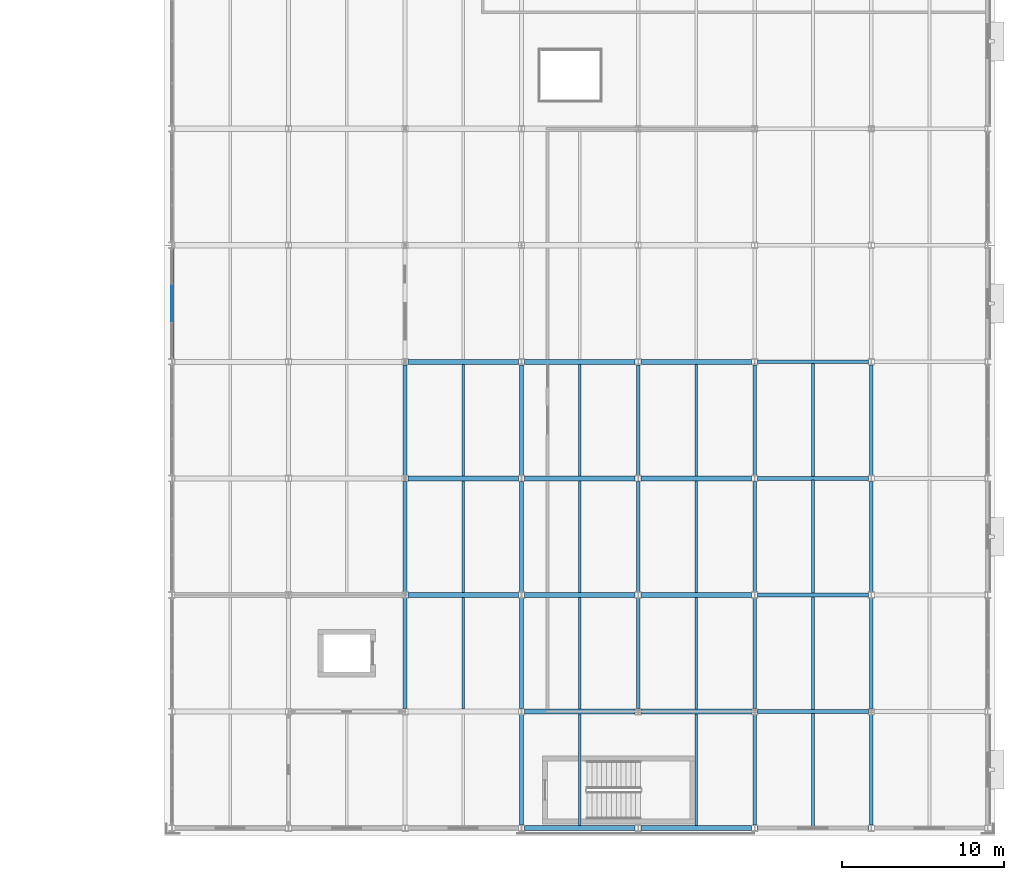
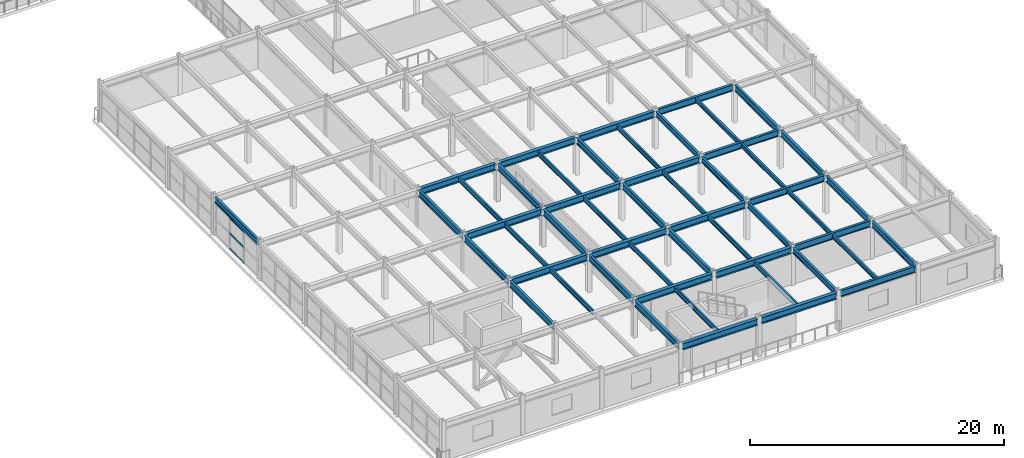
# One storey, part 33 of 93: 52 beams, 3 members, 1 element without a shape of its own.
"""IFC4 building model written with IfcOpenShell, lengths in metres."""

from ifc_helpers import new_model, si_unit, direction, frame, origin, origin_2d, place, context, subcontext, project, spatial, rectangle, i_section, extrude, material, material_profile, profile_set, type_object, element, aggregate, save


model = new_model("IFC4")

# Units and contexts
model_context = context("Model", 3, precision=1e-05, world=origin(), true_north=direction((0.0, 1.0)))
body_context = subcontext(model_context, "Body", "Model", "MODEL_VIEW")
ifc_project = project(units=[si_unit("LENGTHUNIT", "METRE"), si_unit("AREAUNIT", "SQUARE_METRE"), si_unit("VOLUMEUNIT", "CUBIC_METRE"), si_unit("PLANEANGLEUNIT", "RADIAN"), si_unit("MASSUNIT", "GRAM", prefix="KILO")], contexts=[model_context])

# Site, building, storey
site_placement = place(None, origin())
site = spatial("IfcSite", under=ifc_project, at=site_placement, CompositionType="ELEMENT")
building_placement = place(site_placement, origin())
building = spatial("IfcBuilding", under=site, at=building_placement, Name="Vaelcorin Mobility Hub", CompositionType="ELEMENT")
storey_placement = place(building_placement, frame((0.0, 0.0, 5.39990234375)))
storey = spatial("IfcBuildingStorey", under=building, at=storey_placement, Name="L01", CompositionType="ELEMENT", Elevation=5.39990234375)

# Beams
ifc_material_1 = material(Name="Steel ASTM A992 Grade 50", Category="steel")
ifc_material_profile_1 = material_profile(ifc_material_1, i_section(OverallWidth=0.177978515625, OverallDepth=0.404052734375, WebThickness=0.007568359375, FlangeThickness=0.010986328125, FilletRadius=0.012939453125, at=origin_2d()), Name="W16X36")
ifc_profile_set_1 = profile_set([ifc_material_profile_1], Name="Steel ASTM A992 Grade 50")
beam_type_1 = type_object("IfcBeamType", Name="BM-W16X36", PredefinedType="JOIST", material=ifc_profile_set_1)
beam_1_placement = place(storey_placement, frame((193.199951171875, 6.112060546875, 3.498046875), z_axis=(0.0, 1.0, 0.0), x_axis=(-1.0, 0.0, 0.0)))
element("IfcBeam", 1, at=beam_1_placement, inside=storey, type_object=beam_type_1, Name="L01 Beam V5E-L01-J-01-01-1", PredefinedType="JOIST", context=body_context, shape_type="SweptSolid", body=[
    extrude(i_section(OverallWidth=0.177978515625, OverallDepth=0.404052734375, WebThickness=0.007568359375, FlangeThickness=0.010986328125, FilletRadius=0.012939453125, at=origin_2d()), origin(), (0.0, 0.0, 1.0), 6.974853515625),
])
beam_2_placement = place(storey_placement, frame((193.199951171875, 13.31201171875, 3.498046875), z_axis=(0.0, 1.0, 0.0), x_axis=(-1.0, 0.0, 0.0)))
element("IfcBeam", 2, at=beam_2_placement, inside=storey, type_object=beam_type_1, Name="L01 Beam V5E-L01-J-01-02-1", PredefinedType="JOIST", context=body_context, shape_type="SweptSolid", body=[
    extrude(i_section(OverallWidth=0.177978515625, OverallDepth=0.404052734375, WebThickness=0.007568359375, FlangeThickness=0.010986328125, FilletRadius=0.012939453125, at=origin_2d()), origin(), (0.0, 0.0, 1.0), 6.97509765625),
])
beam_3_placement = place(storey_placement, frame((193.199951171875, 20.511962890625, 3.498046875), z_axis=(0.0, 1.0, 0.0), x_axis=(-1.0, 0.0, 0.0)))
element("IfcBeam", 3, at=beam_3_placement, inside=storey, type_object=beam_type_1, Name="L01 Beam V5E-L01-J-01-03-1", PredefinedType="JOIST", context=body_context, shape_type="SweptSolid", body=[
    extrude(i_section(OverallWidth=0.177978515625, OverallDepth=0.404052734375, WebThickness=0.007568359375, FlangeThickness=0.010986328125, FilletRadius=0.012939453125, at=origin_2d()), origin(), (0.0, 0.0, 1.0), 6.97607421875),
])
beam_4_placement = place(storey_placement, frame((193.199951171875, 27.712890625, 3.498046875), z_axis=(0.0, 1.0, 0.0), x_axis=(-1.0, 0.0, 0.0)))
element("IfcBeam", 4, at=beam_4_placement, inside=storey, type_object=beam_type_1, Name="L01 Beam V5E-L01-J-01-04-1", PredefinedType="JOIST", context=body_context, shape_type="SweptSolid", body=[
    extrude(i_section(OverallWidth=0.177978515625, OverallDepth=0.404052734375, WebThickness=0.007568359375, FlangeThickness=0.010986328125, FilletRadius=0.012939453125, at=origin_2d()), origin(), (0.0, 0.0, 1.0), 6.97509765625),
])
ifc_material_profile_2 = material_profile(ifc_material_1, i_section(OverallWidth=0.152099609375, OverallDepth=0.455078125, WebThickness=0.008056640625, FlangeThickness=0.01318359375, FilletRadius=0.012939453125, at=origin_2d()), Name="W18X40")
ifc_profile_set_2 = profile_set([ifc_material_profile_2], Name="Steel ASTM A992 Grade 50")
beam_type_2 = type_object("IfcBeamType", Name="BM-W18X40", PredefinedType="JOIST", material=ifc_profile_set_2)
for number, where, z_axis, x_axis, name in (
    (5, (171.60009765625, 13.360107421875, 3.443115234375), (0.0, 1.0, 0.0), (-1.0, 0.0, 0.0), "L01 Beam V5-L01-J-03-02-1"),
    (6, (171.60009765625, 20.56005859375, 3.443115234375), (0.0, 1.0, 0.0), (-1.0, 0.0, 0.0), "L01 Beam V5-L01-J-03-03-1"),
    (7, (171.60009765625, 27.760009765625, 3.443115234375), (0.0, 1.0, 0.0), (-1.0, 0.0, 0.0), "L01 Beam V5-L01-J-03-04-1"),
):
    element("IfcBeam", number, at=place(storey_placement, frame(where, z_axis=z_axis, x_axis=x_axis)), inside=storey, type_object=beam_type_2, Name=name, PredefinedType="JOIST", context=body_context, shape_type="SweptSolid", body=[
        extrude(i_section(OverallWidth=0.152099609375, OverallDepth=0.455078125, WebThickness=0.008056640625, FlangeThickness=0.01318359375, FilletRadius=0.012939453125, at=origin_2d()), origin(), (0.0, 0.0, 1.0), 6.8798828125),
    ])
beam_5_placement = place(storey_placement, frame((178.800048828125, 6.159912109375, 3.443115234375), z_axis=(0.0, 1.0, 0.0), x_axis=(-1.0, 0.0, 0.0)))
element("IfcBeam", 8, at=beam_5_placement, inside=storey, type_object=beam_type_2, Name="L01 Beam V5-L01-J-04-01-1", PredefinedType="JOIST", context=body_context, shape_type="SweptSolid", body=[
    extrude(i_section(OverallWidth=0.152099609375, OverallDepth=0.455078125, WebThickness=0.008056640625, FlangeThickness=0.01318359375, FilletRadius=0.012939453125, at=origin_2d()), origin(), (0.0, 0.0, 1.0), 6.879150390625),
])
for number, where, z_axis, x_axis, name in (
    (9, (178.800048828125, 13.360107421875, 3.443115234375), (0.0, 1.0, 0.0), (-1.0, 0.0, 0.0), "L01 Beam V5-L01-J-04-02-1"),
    (10, (178.800048828125, 20.56005859375, 3.443115234375), (0.0, 1.0, 0.0), (-1.0, 0.0, 0.0), "L01 Beam V5-L01-J-04-03-1"),
    (11, (178.800048828125, 27.760009765625, 3.443115234375), (0.0, 1.0, 0.0), (-1.0, 0.0, 0.0), "L01 Beam V5-L01-J-04-04-1"),
):
    element("IfcBeam", number, at=place(storey_placement, frame(where, z_axis=z_axis, x_axis=x_axis)), inside=storey, type_object=beam_type_2, Name=name, PredefinedType="JOIST", context=body_context, shape_type="SweptSolid", body=[
        extrude(i_section(OverallWidth=0.152099609375, OverallDepth=0.455078125, WebThickness=0.008056640625, FlangeThickness=0.01318359375, FilletRadius=0.012939453125, at=origin_2d()), origin(), (0.0, 0.0, 1.0), 6.8798828125),
    ])
beam_6_placement = place(storey_placement, frame((186.0, 6.159912109375, 3.443115234375), z_axis=(0.0, 1.0, 0.0), x_axis=(-1.0, 0.0, 0.0)))
element("IfcBeam", 12, at=beam_6_placement, inside=storey, type_object=beam_type_2, Name="L01 Beam V5-L01-J-05-01-1", PredefinedType="JOIST", context=body_context, shape_type="SweptSolid", body=[
    extrude(i_section(OverallWidth=0.152099609375, OverallDepth=0.455078125, WebThickness=0.008056640625, FlangeThickness=0.01318359375, FilletRadius=0.012939453125, at=origin_2d()), origin(), (0.0, 0.0, 1.0), 6.879150390625),
])
for number, where, z_axis, x_axis, name in (
    (13, (186.0, 13.360107421875, 3.443115234375), (0.0, 1.0, 0.0), (-1.0, 0.0, 0.0), "L01 Beam V5-L01-J-05-02-1"),
    (14, (186.0, 20.56005859375, 3.443115234375), (0.0, 1.0, 0.0), (-1.0, 0.0, 0.0), "L01 Beam V5-L01-J-05-03-1"),
    (15, (186.0, 27.760009765625, 3.443115234375), (0.0, 1.0, 0.0), (-1.0, 0.0, 0.0), "L01 Beam V5-L01-J-05-04-1"),
):
    element("IfcBeam", number, at=place(storey_placement, frame(where, z_axis=z_axis, x_axis=x_axis)), inside=storey, type_object=beam_type_2, Name=name, PredefinedType="JOIST", context=body_context, shape_type="SweptSolid", body=[
        extrude(i_section(OverallWidth=0.152099609375, OverallDepth=0.455078125, WebThickness=0.008056640625, FlangeThickness=0.01318359375, FilletRadius=0.012939453125, at=origin_2d()), origin(), (0.0, 0.0, 1.0), 6.8798828125),
    ])
ifc_material_profile_3 = material_profile(ifc_material_1, i_section(OverallWidth=0.2099609375, OverallDepth=0.535888671875, WebThickness=0.010986328125, FlangeThickness=0.017333984375, FilletRadius=0.013916015625, at=origin_2d()), Name="W21X68")
ifc_profile_set_3 = profile_set([ifc_material_profile_3], Name="Steel ASTM A992 Grade 50")
beam_type_3 = type_object("IfcBeamType", Name="BM-W21X68", PredefinedType="SPANDREL", material=ifc_profile_set_3)
for number, where, z_axis, x_axis, name in (
    (16, (153.60009765625, 34.98388671875, 3.402099609375), (0.0, 1.0, 0.0), (-1.0, 0.0, 0.0), "L01 Beam V5-L01-GY-01-05"),
    (17, (189.60009765625, 6.18408203125, 3.402099609375), (0.0, 1.0, 0.0), (-1.0, 0.0, 0.0), "L01 Beam V5-L01-GY-06-01"),
    (18, (189.60009765625, 13.384033203125, 3.402099609375), (0.0, 1.0, 0.0), (-1.0, 0.0, 0.0), "L01 Beam V5-L01-GY-06-02"),
    (19, (189.60009765625, 20.583984375, 3.402099609375), (0.0, 1.0, 0.0), (-1.0, 0.0, 0.0), "L01 Beam V5-L01-GY-06-03"),
    (20, (189.60009765625, 27.783935546875, 3.402099609375), (0.0, 1.0, 0.0), (-1.0, 0.0, 0.0), "L01 Beam V5-L01-GY-06-04"),
):
    element("IfcBeam", number, at=place(storey_placement, frame(where, z_axis=z_axis, x_axis=x_axis)), inside=storey, type_object=beam_type_3, Name=name, PredefinedType="SPANDREL", context=body_context, shape_type="SweptSolid", body=[
        extrude(i_section(OverallWidth=0.2099609375, OverallDepth=0.535888671875, WebThickness=0.010986328125, FlangeThickness=0.017333984375, FilletRadius=0.013916015625, at=origin_2d()), origin(), (0.0, 0.0, 1.0), 6.83203125),
    ])
ifc_material_profile_4 = material_profile(ifc_material_1, i_section(OverallWidth=0.324951171875, OverallDepth=0.612060546875, WebThickness=0.0126953125, FlangeThickness=0.01904296875, FilletRadius=0.014892578125, at=origin_2d()), Name="W24X104")
ifc_profile_set_4 = profile_set([ifc_material_profile_4], Name="Steel ASTM A992 Grade 50")
beam_type_4 = type_object("IfcBeamType", Name="BM-W24X104", PredefinedType="BEAM", material=ifc_profile_set_4)
beam_7_placement = place(storey_placement, frame((175.384033203125, 6.0, 3.364013671875), z_axis=(1.0, 0.0, 0.0), x_axis=(0.0, 1.0, 0.0)))
element("IfcBeam", 21, at=beam_7_placement, inside=storey, type_object=beam_type_4, Name="L01 Beam V5-L01-GX-01-04", PredefinedType="BEAM", context=body_context, shape_type="SweptSolid", body=[
    extrude(i_section(OverallWidth=0.324951171875, OverallDepth=0.612060546875, WebThickness=0.0126953125, FlangeThickness=0.01904296875, FilletRadius=0.014892578125, at=origin_2d()), origin(), (0.0, 0.0, 1.0), 6.83203125),
])
beam_8_placement = place(storey_placement, frame((182.5849609375, 6.0, 3.364013671875), z_axis=(1.0, 0.0, 0.0), x_axis=(0.0, 1.0, 0.0)))
element("IfcBeam", 22, at=beam_8_placement, inside=storey, type_object=beam_type_4, Name="L01 Beam V5-L01-GX-01-05", PredefinedType="BEAM", context=body_context, shape_type="SweptSolid", body=[
    extrude(i_section(OverallWidth=0.324951171875, OverallDepth=0.612060546875, WebThickness=0.0126953125, FlangeThickness=0.01904296875, FilletRadius=0.014892578125, at=origin_2d()), origin(), (0.0, 0.0, 1.0), 6.830078125),
])
beam_9_placement = place(storey_placement, frame((175.384033203125, 13.199951171875, 3.364013671875), z_axis=(1.0, 0.0, 0.0), x_axis=(0.0, 1.0, 0.0)))
element("IfcBeam", 23, at=beam_9_placement, inside=storey, type_object=beam_type_4, Name="L01 Beam V5-L01-GX-02-04", PredefinedType="BEAM", context=body_context, shape_type="SweptSolid", body=[
    extrude(i_section(OverallWidth=0.324951171875, OverallDepth=0.612060546875, WebThickness=0.0126953125, FlangeThickness=0.01904296875, FilletRadius=0.014892578125, at=origin_2d()), origin(), (0.0, 0.0, 1.0), 6.83203125),
])
beam_10_placement = place(storey_placement, frame((182.5849609375, 13.199951171875, 3.364013671875), z_axis=(1.0, 0.0, 0.0), x_axis=(0.0, 1.0, 0.0)))
element("IfcBeam", 24, at=beam_10_placement, inside=storey, type_object=beam_type_4, Name="L01 Beam V5-L01-GX-02-05", PredefinedType="BEAM", context=body_context, shape_type="SweptSolid", body=[
    extrude(i_section(OverallWidth=0.324951171875, OverallDepth=0.612060546875, WebThickness=0.0126953125, FlangeThickness=0.01904296875, FilletRadius=0.014892578125, at=origin_2d()), origin(), (0.0, 0.0, 1.0), 6.830078125),
])
beam_11_placement = place(storey_placement, frame((168.18408203125, 20.39990234375, 3.364013671875), z_axis=(1.0, 0.0, 0.0), x_axis=(0.0, 1.0, 0.0)))
element("IfcBeam", 25, at=beam_11_placement, inside=storey, type_object=beam_type_4, Name="L01 Beam V5-L01-GX-03-03", PredefinedType="BEAM", context=body_context, shape_type="SweptSolid", body=[
    extrude(i_section(OverallWidth=0.324951171875, OverallDepth=0.612060546875, WebThickness=0.0126953125, FlangeThickness=0.01904296875, FilletRadius=0.014892578125, at=origin_2d()), origin(), (0.0, 0.0, 1.0), 6.830810546875),
])
beam_12_placement = place(storey_placement, frame((175.384033203125, 20.39990234375, 3.364013671875), z_axis=(1.0, 0.0, 0.0), x_axis=(0.0, 1.0, 0.0)))
element("IfcBeam", 26, at=beam_12_placement, inside=storey, type_object=beam_type_4, Name="L01 Beam V5-L01-GX-03-04", PredefinedType="BEAM", context=body_context, shape_type="SweptSolid", body=[
    extrude(i_section(OverallWidth=0.324951171875, OverallDepth=0.612060546875, WebThickness=0.0126953125, FlangeThickness=0.01904296875, FilletRadius=0.014892578125, at=origin_2d()), origin(), (0.0, 0.0, 1.0), 6.83203125),
])
beam_13_placement = place(storey_placement, frame((182.5849609375, 20.39990234375, 3.364013671875), z_axis=(1.0, 0.0, 0.0), x_axis=(0.0, 1.0, 0.0)))
element("IfcBeam", 27, at=beam_13_placement, inside=storey, type_object=beam_type_4, Name="L01 Beam V5-L01-GX-03-05", PredefinedType="BEAM", context=body_context, shape_type="SweptSolid", body=[
    extrude(i_section(OverallWidth=0.324951171875, OverallDepth=0.612060546875, WebThickness=0.0126953125, FlangeThickness=0.01904296875, FilletRadius=0.014892578125, at=origin_2d()), origin(), (0.0, 0.0, 1.0), 6.830078125),
])
beam_14_placement = place(storey_placement, frame((168.18408203125, 27.60009765625, 3.364013671875), z_axis=(1.0, 0.0, 0.0), x_axis=(0.0, 1.0, 0.0)))
element("IfcBeam", 28, at=beam_14_placement, inside=storey, type_object=beam_type_4, Name="L01 Beam V5-L01-GX-04-03", PredefinedType="BEAM", context=body_context, shape_type="SweptSolid", body=[
    extrude(i_section(OverallWidth=0.324951171875, OverallDepth=0.612060546875, WebThickness=0.0126953125, FlangeThickness=0.01904296875, FilletRadius=0.014892578125, at=origin_2d()), origin(), (0.0, 0.0, 1.0), 6.830810546875),
])
beam_15_placement = place(storey_placement, frame((175.384033203125, 27.60009765625, 3.364013671875), z_axis=(1.0, 0.0, 0.0), x_axis=(0.0, 1.0, 0.0)))
element("IfcBeam", 29, at=beam_15_placement, inside=storey, type_object=beam_type_4, Name="L01 Beam V5-L01-GX-04-04", PredefinedType="BEAM", context=body_context, shape_type="SweptSolid", body=[
    extrude(i_section(OverallWidth=0.324951171875, OverallDepth=0.612060546875, WebThickness=0.0126953125, FlangeThickness=0.01904296875, FilletRadius=0.014892578125, at=origin_2d()), origin(), (0.0, 0.0, 1.0), 6.83203125),
])
beam_16_placement = place(storey_placement, frame((182.5849609375, 27.60009765625, 3.364013671875), z_axis=(1.0, 0.0, 0.0), x_axis=(0.0, 1.0, 0.0)))
element("IfcBeam", 30, at=beam_16_placement, inside=storey, type_object=beam_type_4, Name="L01 Beam V5-L01-GX-04-05", PredefinedType="BEAM", context=body_context, shape_type="SweptSolid", body=[
    extrude(i_section(OverallWidth=0.324951171875, OverallDepth=0.612060546875, WebThickness=0.0126953125, FlangeThickness=0.01904296875, FilletRadius=0.014892578125, at=origin_2d()), origin(), (0.0, 0.0, 1.0), 6.830078125),
])
beam_17_placement = place(storey_placement, frame((168.18408203125, 34.800048828125, 3.364013671875), z_axis=(1.0, 0.0, 0.0), x_axis=(0.0, 1.0, 0.0)))
element("IfcBeam", 31, at=beam_17_placement, inside=storey, type_object=beam_type_4, Name="L01 Beam V5-L01-GX-05-03", PredefinedType="BEAM", context=body_context, shape_type="SweptSolid", body=[
    extrude(i_section(OverallWidth=0.324951171875, OverallDepth=0.612060546875, WebThickness=0.0126953125, FlangeThickness=0.01904296875, FilletRadius=0.014892578125, at=origin_2d()), origin(), (0.0, 0.0, 1.0), 6.830810546875),
])
beam_18_placement = place(storey_placement, frame((175.384033203125, 34.800048828125, 3.364013671875), z_axis=(1.0, 0.0, 0.0), x_axis=(0.0, 1.0, 0.0)))
element("IfcBeam", 32, at=beam_18_placement, inside=storey, type_object=beam_type_4, Name="L01 Beam V5-L01-GX-05-04", PredefinedType="BEAM", context=body_context, shape_type="SweptSolid", body=[
    extrude(i_section(OverallWidth=0.324951171875, OverallDepth=0.612060546875, WebThickness=0.0126953125, FlangeThickness=0.01904296875, FilletRadius=0.014892578125, at=origin_2d()), origin(), (0.0, 0.0, 1.0), 6.83203125),
])
beam_19_placement = place(storey_placement, frame((182.5849609375, 34.800048828125, 3.364013671875), z_axis=(1.0, 0.0, 0.0), x_axis=(0.0, 1.0, 0.0)))
element("IfcBeam", 33, at=beam_19_placement, inside=storey, type_object=beam_type_4, Name="L01 Beam V5-L01-GX-05-05", PredefinedType="BEAM", context=body_context, shape_type="SweptSolid", body=[
    extrude(i_section(OverallWidth=0.324951171875, OverallDepth=0.612060546875, WebThickness=0.0126953125, FlangeThickness=0.01904296875, FilletRadius=0.014892578125, at=origin_2d()), origin(), (0.0, 0.0, 1.0), 6.830078125),
])
ifc_material_profile_5 = material_profile(ifc_material_1, i_section(OverallWidth=0.22802734375, OverallDepth=0.60205078125, WebThickness=0.010498046875, FlangeThickness=0.014892578125, FilletRadius=0.014892578125, at=origin_2d()), Name="W24X68")
ifc_profile_set_5 = profile_set([ifc_material_profile_5], Name="Steel ASTM A992 Grade 50")
beam_type_5 = type_object("IfcBeamType", Name="BM-W24X68", PredefinedType="SPANDREL", material=ifc_profile_set_5)
for number, where, z_axis, x_axis, name in (
    (34, (189.783935546875, 6.0, 3.399169921875), (1.0, 0.0, 0.0), (0.0, 1.0, 0.0), "L01 Beam V5E-L01-GX-01-01"),
    (35, (196.800048828125, 6.18408203125, 3.399169921875), (0.0, 1.0, 0.0), (-1.0, 0.0, 0.0), "L01 Beam V5E-L01-GY-02-01"),
    (36, (196.800048828125, 13.384033203125, 3.399169921875), (0.0, 1.0, 0.0), (-1.0, 0.0, 0.0), "L01 Beam V5E-L01-GY-02-02"),
    (37, (196.800048828125, 20.583984375, 3.399169921875), (0.0, 1.0, 0.0), (-1.0, 0.0, 0.0), "L01 Beam V5E-L01-GY-02-03"),
    (38, (196.800048828125, 27.783935546875, 3.399169921875), (0.0, 1.0, 0.0), (-1.0, 0.0, 0.0), "L01 Beam V5E-L01-GY-02-04"),
):
    element("IfcBeam", number, at=place(storey_placement, frame(where, z_axis=z_axis, x_axis=x_axis)), inside=storey, type_object=beam_type_5, Name=name, PredefinedType="SPANDREL", context=body_context, shape_type="SweptSolid", body=[
        extrude(i_section(OverallWidth=0.22802734375, OverallDepth=0.60205078125, WebThickness=0.010498046875, FlangeThickness=0.014892578125, FilletRadius=0.014892578125, at=origin_2d()), origin(), (0.0, 0.0, 1.0), 6.83203125),
    ])
ifc_material_profile_6 = material_profile(ifc_material_1, i_section(OverallWidth=0.22900390625, OverallDepth=0.612060546875, WebThickness=0.011962890625, FlangeThickness=0.01953125, FilletRadius=0.014892578125, at=origin_2d()), Name="W24X84")
ifc_profile_set_6 = profile_set([ifc_material_profile_6], Name="Steel ASTM A992 Grade 50")
beam_type_6 = type_object("IfcBeamType", Name="BM-W24X84", PredefinedType="BEAM", material=ifc_profile_set_6)
for number, where, z_axis, x_axis, name in (
    (39, (168.0, 13.384033203125, 3.364013671875), (0.0, 1.0, 0.0), (-1.0, 0.0, 0.0), "L01 Beam V5-L01-GY-03-02"),
    (40, (168.0, 20.583984375, 3.364013671875), (0.0, 1.0, 0.0), (-1.0, 0.0, 0.0), "L01 Beam V5-L01-GY-03-03"),
    (41, (168.0, 27.783935546875, 3.364013671875), (0.0, 1.0, 0.0), (-1.0, 0.0, 0.0), "L01 Beam V5-L01-GY-03-04"),
    (42, (175.199951171875, 6.18408203125, 3.364013671875), (0.0, 1.0, 0.0), (-1.0, 0.0, 0.0), "L01 Beam V5-L01-GY-04-01"),
    (43, (175.199951171875, 13.384033203125, 3.364013671875), (0.0, 1.0, 0.0), (-1.0, 0.0, 0.0), "L01 Beam V5-L01-GY-04-02"),
    (44, (175.199951171875, 20.583984375, 3.364013671875), (0.0, 1.0, 0.0), (-1.0, 0.0, 0.0), "L01 Beam V5-L01-GY-04-03"),
    (45, (175.199951171875, 27.783935546875, 3.364013671875), (0.0, 1.0, 0.0), (-1.0, 0.0, 0.0), "L01 Beam V5-L01-GY-04-04"),
    (46, (182.39990234375, 13.384033203125, 3.364013671875), (0.0, 1.0, 0.0), (-1.0, 0.0, 0.0), "L01 Beam V5-L01-GY-05-02"),
    (47, (182.39990234375, 20.583984375, 3.364013671875), (0.0, 1.0, 0.0), (-1.0, 0.0, 0.0), "L01 Beam V5-L01-GY-05-03"),
    (48, (182.39990234375, 27.783935546875, 3.364013671875), (0.0, 1.0, 0.0), (-1.0, 0.0, 0.0), "L01 Beam V5-L01-GY-05-04"),
    (49, (189.783935546875, 13.199951171875, 3.39404296875), (1.0, 0.0, 0.0), (0.0, 1.0, 0.0), "L01 Beam V5E-L01-GX-02-01"),
    (50, (189.783935546875, 20.39990234375, 3.39404296875), (1.0, 0.0, 0.0), (0.0, 1.0, 0.0), "L01 Beam V5E-L01-GX-03-01"),
    (51, (189.783935546875, 27.60009765625, 3.39404296875), (1.0, 0.0, 0.0), (0.0, 1.0, 0.0), "L01 Beam V5E-L01-GX-04-01"),
    (52, (189.783935546875, 34.800048828125, 3.39404296875), (1.0, 0.0, 0.0), (0.0, 1.0, 0.0), "L01 Beam V5E-L01-GX-05-01"),
):
    element("IfcBeam", number, at=place(storey_placement, frame(where, z_axis=z_axis, x_axis=x_axis)), inside=storey, type_object=beam_type_6, Name=name, PredefinedType="BEAM", context=body_context, shape_type="SweptSolid", body=[
        extrude(i_section(OverallWidth=0.22900390625, OverallDepth=0.612060546875, WebThickness=0.011962890625, FlangeThickness=0.01953125, FilletRadius=0.014892578125, at=origin_2d()), origin(), (0.0, 0.0, 1.0), 6.83203125),
    ])

# Curtain wall, members
ifc_material_2 = material(Name="Anodised aluminium 6063-T6", Category="aluminium")
curtain_wall_type = type_object("IfcCurtainWallType", Name="CW-MOB-A", PredefinedType="NOTDEFINED", material=ifc_material_2)
curtain_wall_placement = place(storey_placement, origin())
curtain_wall = element("IfcCurtainWall", 53, at=curtain_wall_placement, inside=storey, type_object=curtain_wall_type, Name="L01 Curtain Wall CW-V5-L01-WS-05", PredefinedType="NOTDEFINED")
ifc_material_profile_7 = material_profile(ifc_material_2, rectangle(XDim=0.06005859375, YDim=0.1201171875, at=origin_2d()), Name="ALU-T60X120")
ifc_profile_set_7 = profile_set([ifc_material_profile_7], Name="Anodised aluminium 6063-T6")
member_type = type_object("IfcMemberType", Name="CW-TRAN-140", PredefinedType="USERDEFINED", material=ifc_profile_set_7)
member_1_placement = place(storey_placement, frame((153.60009765625, 37.30322265625, 0.030029296875), z_axis=(0.0, 1.0, 0.0), x_axis=(-1.0, 0.0, 0.0)))
member_1 = element("IfcMember", 54, at=member_1_placement, type_object=member_type, Name="CW7 transom 2.1", ObjectType="TRANSOM", PredefinedType="USERDEFINED", context=body_context, shape_type="SweptSolid", body=[
    extrude(rectangle(XDim=0.06005859375, YDim=0.1201171875, at=origin_2d()), origin(), (0.0, 0.0, 1.0), 2.193359375),
])
member_2_placement = place(storey_placement, frame((153.60009765625, 37.30322265625, 1.522216796875), z_axis=(0.0, 1.0, 0.0), x_axis=(-1.0, 0.0, 0.0)))
member_2 = element("IfcMember", 55, at=member_2_placement, type_object=member_type, Name="CW7 transom 2.2", ObjectType="TRANSOM", PredefinedType="USERDEFINED", context=body_context, shape_type="SweptSolid", body=[
    extrude(rectangle(XDim=0.06005859375, YDim=0.1201171875, at=origin_2d()), origin(), (0.0, 0.0, 1.0), 2.193359375),
])
member_3_placement = place(storey_placement, frame((153.60009765625, 37.30322265625, 3.01318359375), z_axis=(0.0, 1.0, 0.0), x_axis=(-1.0, 0.0, 0.0)))
member_3 = element("IfcMember", 56, at=member_3_placement, type_object=member_type, Name="CW7 transom 2.3", ObjectType="TRANSOM", PredefinedType="USERDEFINED", context=body_context, shape_type="SweptSolid", body=[
    extrude(rectangle(XDim=0.06005859375, YDim=0.1201171875, at=origin_2d()), origin(), (0.0, 0.0, 1.0), 2.193359375),
])
aggregate(curtain_wall, [member_1, member_2, member_3])

save(model, "model.ifc")
